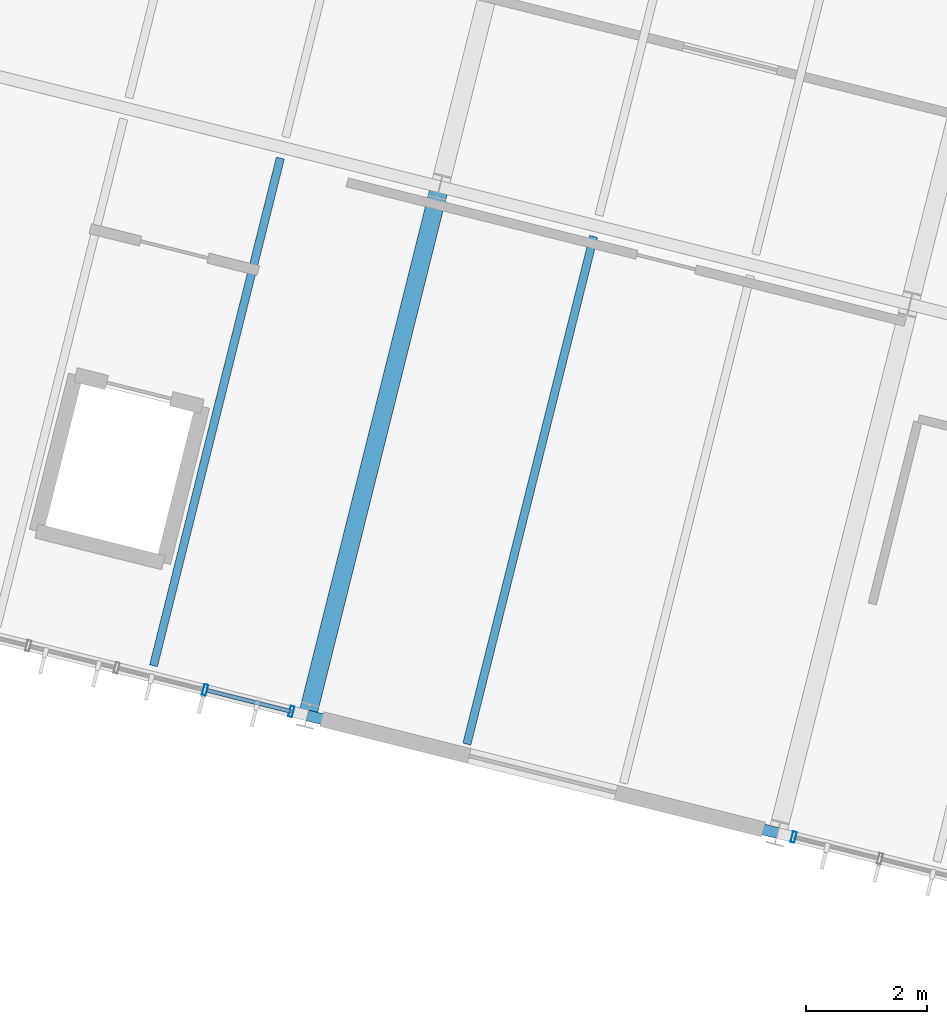
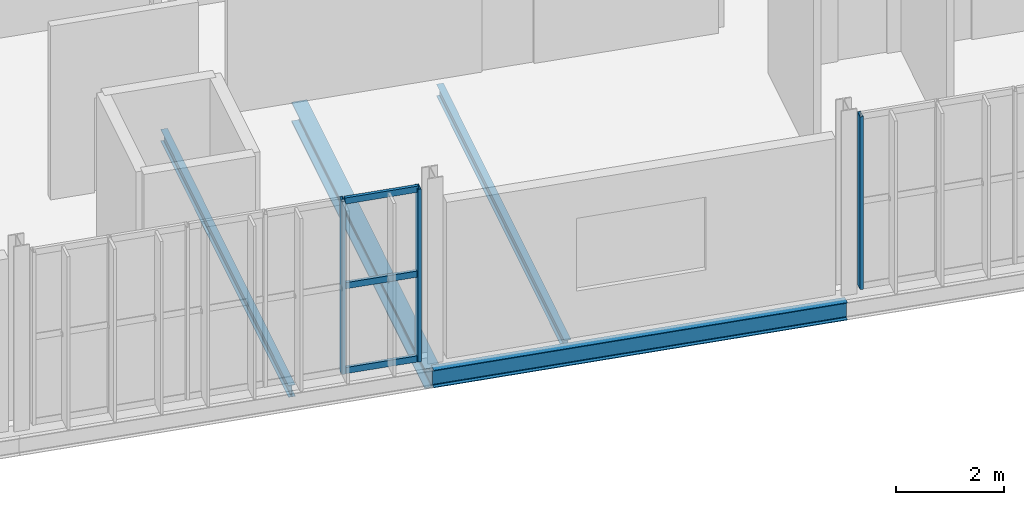
# One storey, part 27 of 61: 6 members, 4 beams, 2 elements without a shape of their own.
"""IFC4 building model written with IfcOpenShell, lengths in metres."""

from ifc_helpers import new_model, si_unit, derived_unit, direction, frame, origin, origin_2d, place, context, subcontext, project, spatial, hollow_rectangle, i_section, extrude, material, material_profile, profile_set, type_object, element, aggregate, save


model = new_model("IFC4")

# Units and contexts
model_context = context("Model", 3, precision=1e-05, world=origin(), true_north=direction((0.0, 1.0)))
body_context = subcontext(model_context, "Body", "Model", "MODEL_VIEW")
ifc_project = project(units=[si_unit("LENGTHUNIT", "METRE"), si_unit("AREAUNIT", "SQUARE_METRE"), si_unit("VOLUMEUNIT", "CUBIC_METRE"), si_unit("PLANEANGLEUNIT", "RADIAN"), si_unit("MASSUNIT", "GRAM", prefix="KILO"), si_unit("THERMODYNAMICTEMPERATUREUNIT", "KELVIN"), si_unit("TIMEUNIT", "SECOND"), derived_unit("THERMALTRANSMITTANCEUNIT", [(si_unit("MASSUNIT", "GRAM", prefix="KILO"), 1), (si_unit("THERMODYNAMICTEMPERATUREUNIT", "KELVIN"), -1), (si_unit("TIMEUNIT", "SECOND"), -3)])], contexts=[model_context])

# Site, building, storey
site_placement = place(None, origin())
site = spatial("IfcSite", under=ifc_project, at=site_placement, CompositionType="ELEMENT")
building_placement = place(site_placement, origin())
building = spatial("IfcBuilding", under=site, at=building_placement, Name="Cambertide Market Hall", CompositionType="ELEMENT")
storey_placement = place(building_placement, frame((0.0, 0.0, 9.89990234375)))
storey = spatial("IfcBuildingStorey", under=building, at=storey_placement, Name="L03", CompositionType="ELEMENT", Elevation=9.89990234375)

# Curtain wall, members
ifc_material_1 = material(Name="Marine Anodized Aluminium 6063-T6 AA25", Category="aluminium")
curtain_wall_type = type_object("IfcCurtainWallType", Name="Cooking School Classroom Curtain Wall", PredefinedType="USERDEFINED", material=ifc_material_1)
curtain_wall_1_placement = place(storey_placement, origin())
curtain_wall_1 = element("IfcCurtainWall", 1, at=curtain_wall_1_placement, inside=storey, type_object=curtain_wall_type, Name="Level 3 Curtain Wall CW-V4S-L03-3", ObjectType="UNITIZED CURTAIN WALL", PredefinedType="USERDEFINED")
ifc_material_2 = material(Name="Champagne Marine Anodized Aluminium 6063-T6 AA25", Category="aluminium")
ifc_material_profile_1 = material_profile(ifc_material_2, hollow_rectangle(XDim=0.06494140625, YDim=0.179931640625, WallThickness=0.00390625, at=origin_2d()), Name="ALU MULLION 65x180")
ifc_profile_set_1 = profile_set([ifc_material_profile_1], Name="Champagne Marine Anodized Aluminium 6063-T6 AA25")
member_type_1 = type_object("IfcMemberType", Name="Curtain Wall Mullion ALU MULLION 65x180", PredefinedType="MULLION", material=ifc_profile_set_1)
member_1_placement = place(storey_placement, frame((131.0166015625, 94.245849609375, 0.0), z_axis=(0.0, 0.0, 1.0), x_axis=(-0.970142531436, 0.242535499875, 0.0)))
member_1 = element("IfcMember", 2, at=member_1_placement, type_object=member_type_1, Name="CW-V4S-L03-3 Mullion 1", PredefinedType="MULLION", context=body_context, shape_type="SweptSolid", body=[
    extrude(hollow_rectangle(XDim=0.06494140625, YDim=0.179931640625, WallThickness=0.00390625, at=origin_2d()), origin(), (0.0, 0.0, 1.0), 3.920166015625),
])
member_2_placement = place(storey_placement, frame((129.591552734375, 94.60205078125, 0.0), z_axis=(0.0, 0.0, 1.0), x_axis=(-0.970142531436, 0.242535499875, 0.0)))
member_2 = element("IfcMember", 3, at=member_2_placement, type_object=member_type_1, Name="CW-V4S-L03-3 Mullion 2", PredefinedType="MULLION", context=body_context, shape_type="SweptSolid", body=[
    extrude(hollow_rectangle(XDim=0.06494140625, YDim=0.179931640625, WallThickness=0.00390625, at=origin_2d()), origin(), (0.0, 0.0, 1.0), 3.920166015625),
])

# Curtain wall, member
curtain_wall_2_placement = place(storey_placement, origin())
curtain_wall_2 = element("IfcCurtainWall", 4, at=curtain_wall_2_placement, inside=storey, type_object=curtain_wall_type, Name="Level 3 Curtain Wall CW-V4S-L03-5", ObjectType="UNITIZED CURTAIN WALL", PredefinedType="USERDEFINED")
member_3_placement = place(storey_placement, frame((139.311279296875, 92.172119140625, 0.0), z_axis=(0.0, 0.0, 1.0), x_axis=(-0.970142531436, 0.242535499875, 0.0)))
member_3 = element("IfcMember", 5, at=member_3_placement, type_object=member_type_1, Name="CW-V4S-L03-5 Mullion 6", PredefinedType="MULLION", context=body_context, shape_type="SweptSolid", body=[
    extrude(hollow_rectangle(XDim=0.06494140625, YDim=0.179931640625, WallThickness=0.00390625, at=origin_2d()), origin(), (0.0, 0.0, 1.0), 3.920166015625),
])
aggregate(curtain_wall_2, [member_3])

# Member
ifc_material_3 = material(Name="Champagne Marine Anodized Aluminium 6063-T6 AA25", Category="aluminium")
ifc_material_profile_2 = material_profile(ifc_material_3, hollow_rectangle(XDim=0.06494140625, YDim=0.139892578125, WallThickness=0.00341796875, at=origin_2d()), Name="ALU TRANSOM 65x140")
ifc_profile_set_2 = profile_set([ifc_material_profile_2], Name="Champagne Marine Anodized Aluminium 6063-T6 AA25")
member_type_2 = type_object("IfcMemberType", Name="Curtain Wall Transom ALU TRANSOM 65x140", PredefinedType="USERDEFINED", material=ifc_profile_set_2)
member_4_placement = place(storey_placement, frame((131.01171875, 94.2470703125, 0.03515625), z_axis=(-0.970122324991, 0.242616311393, 0.0), x_axis=(-0.242616311393, -0.970122324991, 0.0)))
member_4 = element("IfcMember", 6, at=member_4_placement, type_object=member_type_2, Name="CW-V4S-L03-3 Transom 1-1", ObjectType="TRANSOM", PredefinedType="USERDEFINED", context=body_context, shape_type="SweptSolid", body=[
    extrude(hollow_rectangle(XDim=0.06494140625, YDim=0.139892578125, WallThickness=0.00341796875, at=origin_2d()), origin(), (0.0, 0.0, 1.0), 1.423828125),
])

member_5_placement = place(storey_placement, frame((131.01171875, 94.2470703125, 1.960205078125), z_axis=(-0.970122324991, 0.242616311393, 0.0), x_axis=(-0.242616311393, -0.970122324991, 0.0)))
member_5 = element("IfcMember", 7, at=member_5_placement, type_object=member_type_2, Name="CW-V4S-L03-3 Transom 2-1", ObjectType="TRANSOM", PredefinedType="USERDEFINED", context=body_context, shape_type="SweptSolid", body=[
    extrude(hollow_rectangle(XDim=0.06494140625, YDim=0.139892578125, WallThickness=0.00341796875, at=origin_2d()), origin(), (0.0, 0.0, 1.0), 1.423828125),
])

member_6_placement = place(storey_placement, frame((131.01171875, 94.2470703125, 3.885009765625), z_axis=(-0.970122324991, 0.242616311393, 0.0), x_axis=(-0.242616311393, -0.970122324991, 0.0)))
member_6 = element("IfcMember", 8, at=member_6_placement, type_object=member_type_2, Name="CW-V4S-L03-3 Transom 3-1", ObjectType="TRANSOM", PredefinedType="USERDEFINED", context=body_context, shape_type="SweptSolid", body=[
    extrude(hollow_rectangle(XDim=0.06494140625, YDim=0.139892578125, WallThickness=0.00341796875, at=origin_2d()), origin(), (0.0, 0.0, 1.0), 1.423828125),
])

aggregate(curtain_wall_1, [member_1, member_2, member_4, member_5, member_6])

# Beams
ifc_material_4 = material(Name="Steel S355", Category="steel")
ifc_material_profile_3 = material_profile(ifc_material_4, i_section(OverallWidth=0.179931640625, OverallDepth=0.39990234375, WebThickness=0.008544921875, FlangeThickness=0.013427734375, FilletRadius=0.02099609375, at=origin_2d()), Name="IPE 400")
ifc_profile_set_3 = profile_set([ifc_material_profile_3], Name="Steel S355")
beam_type_1 = type_object("IfcBeamType", Name="Perimeter Spandrel Beam IPE 400", PredefinedType="SPANDREL", material=ifc_profile_set_3)
beam_1_placement = place(storey_placement, frame((131.283447265625, 94.17919921875, -0.44482421875), z_axis=(0.970138909791, -0.242549986002, 0.0), x_axis=(0.242549986002, 0.970138909791, 0.0)))
element("IfcBeam", 9, at=beam_1_placement, inside=storey, type_object=beam_type_1, Name="Level 3 Spandrel BM-V4U-L03-4-1", PredefinedType="SPANDREL", context=body_context, shape_type="SweptSolid", body=[
    extrude(i_section(OverallWidth=0.179931640625, OverallDepth=0.39990234375, WebThickness=0.008544921875, FlangeThickness=0.013427734375, FilletRadius=0.02099609375, at=origin_2d()), origin(), (0.0, 0.0, 1.0), 8.000244140625),
])
ifc_material_5 = material(Name="Steel S355", Category="steel")
ifc_material_profile_4 = material_profile(ifc_material_5, i_section(OverallWidth=0.300048828125, OverallDepth=0.449951171875, WebThickness=0.013916015625, FlangeThickness=0.02587890625, FilletRadius=0.027099609375, at=origin_2d()), Name="HEB 450")
ifc_profile_set_4 = profile_set([ifc_material_profile_4], Name="Steel S355")
beam_type_2 = type_object("IfcBeamType", Name="Steel Girder HEB 450", PredefinedType="BEAM", material=ifc_profile_set_4)
beam_2_placement = place(storey_placement, frame((131.283447265625, 94.17919921875, -0.469970703125), z_axis=(0.242542007841, 0.970140904422, 0.0), x_axis=(-0.970140904422, 0.242542007841, 0.0)))
element("IfcBeam", 10, at=beam_2_placement, inside=storey, type_object=beam_type_2, Name="Level 3 Beam BM-V4V-L03-4-1", PredefinedType="BEAM", context=body_context, shape_type="SweptSolid", body=[
    extrude(i_section(OverallWidth=0.300048828125, OverallDepth=0.449951171875, WebThickness=0.013916015625, FlangeThickness=0.02587890625, FilletRadius=0.027099609375, at=origin_2d()), origin(), (0.0, 0.0, 1.0), 9.0),
])
ifc_material_6 = material(Name="Steel S275", Category="steel")
ifc_material_profile_5 = material_profile(ifc_material_6, i_section(OverallWidth=0.135009765625, OverallDepth=0.27001953125, WebThickness=0.006591796875, FlangeThickness=0.01025390625, FilletRadius=0.014892578125, at=origin_2d()), Name="IPE 270")
ifc_profile_set_5 = profile_set([ifc_material_profile_5], Name="Steel S275")
beam_type_3 = type_object("IfcBeamType", Name="Steel Secondary Joist IPE 270", PredefinedType="JOIST", material=ifc_profile_set_5)
for number, where, z_axis, x_axis, name in (
    (11, (128.739990234375, 95.00048828125, -0.3798828125), (0.242528976348, 0.970144162293, 0.0), (-0.970144162293, 0.242528976348, 0.0), "Level 3 Joist JS-V4-L03-3-1-2"),
    (12, (133.9140625, 93.70703125, -0.3798828125), (0.242528976348, 0.970144162293, 0.0), (-0.970144162293, 0.242528976348, 0.0), "Level 3 Joist JS-V4-L03-4-1-1"),
):
    element("IfcBeam", number, at=place(storey_placement, frame(where, z_axis=z_axis, x_axis=x_axis)), inside=storey, type_object=beam_type_3, Name=name, PredefinedType="JOIST", context=body_context, shape_type="SweptSolid", body=[
        extrude(i_section(OverallWidth=0.135009765625, OverallDepth=0.27001953125, WebThickness=0.006591796875, FlangeThickness=0.01025390625, FilletRadius=0.014892578125, at=origin_2d()), origin(), (0.0, 0.0, 1.0), 8.64013671875),
    ])

save(model, "model.ifc")
